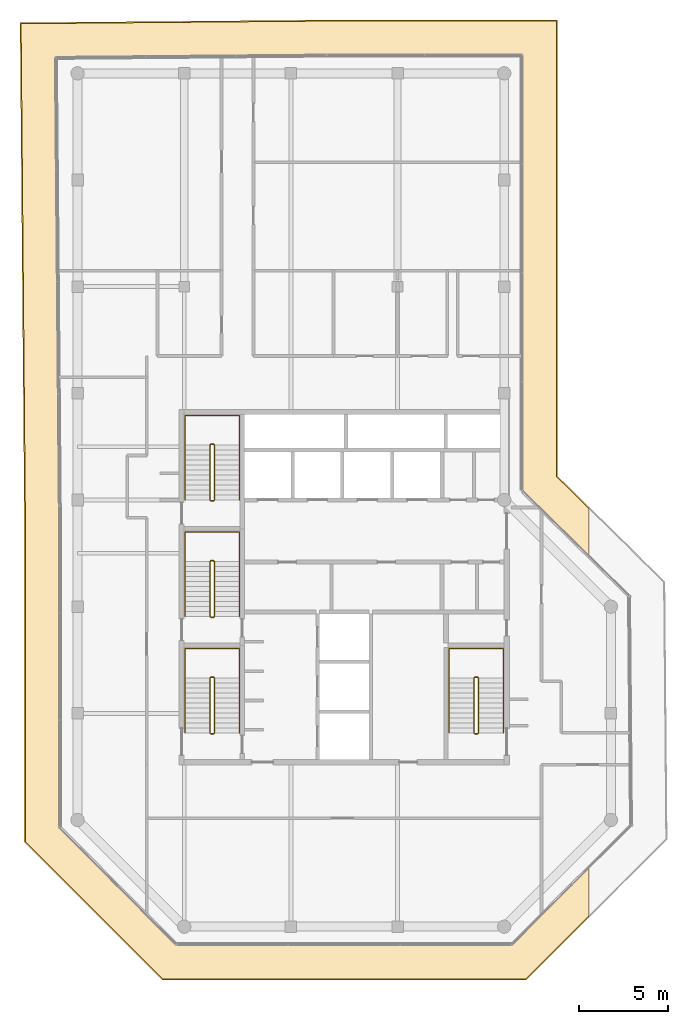
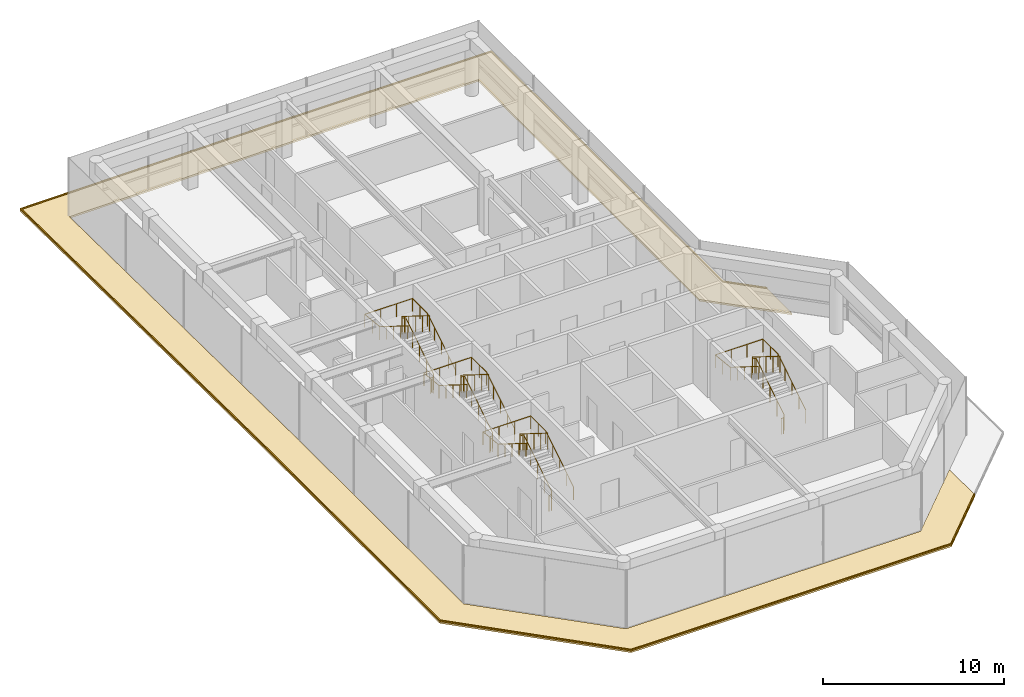
# One storey, part 20 of 21: 8 railings, 2 coverings.
"""IFC4 building model written with IfcOpenShell, lengths in metres."""

from ifc_helpers import new_model, si_unit, direction, frame, origin, origin_2d, place, context, subcontext, project, spatial, polyline, circle, outline, extrude, material, layer, layer_set, type_object, element, save


model = new_model("IFC4")

# Units and contexts
model_context = context("Model", 3, precision=1e-05, world=origin(), true_north=direction((0.0, 1.0)))
body_context = subcontext(model_context, "Body", "Model", "MODEL_VIEW")
ifc_project = project(units=[si_unit("LENGTHUNIT", "METRE"), si_unit("AREAUNIT", "SQUARE_METRE"), si_unit("VOLUMEUNIT", "CUBIC_METRE"), si_unit("PLANEANGLEUNIT", "RADIAN"), si_unit("MASSUNIT", "GRAM", prefix="KILO")], contexts=[model_context])

# Site, building, storey
site_placement = place(None, origin())
site = spatial("IfcSite", under=ifc_project, at=site_placement, CompositionType="ELEMENT")
building_placement = place(site_placement, origin())
building = spatial("IfcBuilding", under=site, at=building_placement, Name="Welwitschia Terrace Campus", CompositionType="ELEMENT")
storey_placement = place(building_placement, frame((0.0, 0.0, 331.39990234375)))
storey = spatial("IfcBuildingStorey", under=building, at=storey_placement, Name="L74", CompositionType="ELEMENT", Elevation=331.39990234375)

# Railings
ifc_material_1 = material(Name="Steel S355", Category="steel")
railing_type_1 = type_object("IfcRailingType", Name="Stair guard 1100", PredefinedType="GUARDRAIL", material=ifc_material_1)
railing_1_placement = place(storey_placement, frame((7.5, 6.85009765625, 0.0)))
element("IfcRailing", 1, at=railing_1_placement, inside=storey, type_object=railing_type_1, Name="L74 S1 stair guard", PredefinedType="GUARDRAIL", context=body_context, shape_type="SweptSolid", body=[
    extrude(circle(Radius=0.02392578125, at=origin_2d()), frame((0.0, 0.0, 1.076171875), z_axis=(1.0, 0.0, 0.0), x_axis=(0.0, 1.0, 0.0)), (0.0, 0.0, 1.0), 0.14990234375),
    extrude(circle(Radius=0.02392578125, at=origin_2d()), frame((0.14990234375, 0.0, 1.076171875), z_axis=(0.265155923931, 0.263862480399, 0.927399011991), x_axis=(-0.705375805398, 0.708833529934, 0.0)), (0.0, 0.0, 1.0), 0.188720703125),
    extrude(circle(Radius=0.02392578125, at=origin_2d()), frame((0.199951171875, 0.0498046875, 1.2509765625), z_axis=(0.0, 0.847998304005, 0.529998940003), x_axis=(-1.0, 0.0, 0.0)), (0.0, 0.0, 1.0), 3.632080078125),
    extrude(circle(Radius=0.02392578125, at=origin_2d()), frame((0.199951171875, 3.1298828125, 3.17626953125), z_axis=(-0.707106781187, 0.707106781187, 0.0), x_axis=(-0.707106781187, -0.707106781187, 0.0)), (0.0, 0.0, 1.0), 0.07080078125),
    extrude(circle(Radius=0.02392578125, at=origin_2d()), frame((0.14990234375, 3.179931640625, 3.17626953125), z_axis=(-1.0, 0.0, 0.0), x_axis=(0.0, -1.0, 0.0)), (0.0, 0.0, 1.0), 0.14990234375),
    extrude(circle(Radius=0.02392578125, at=origin_2d()), frame((0.0, 3.179931640625, 3.17626953125), z_axis=(-0.265065253269, -0.265065253269, 0.927081885822), x_axis=(0.707106781187, -0.707106781187, 0.0)), (0.0, 0.0, 1.0), 0.188720703125),
    extrude(circle(Radius=0.02392578125, at=origin_2d()), frame((-0.050048828125, 3.1298828125, 3.35107421875), z_axis=(0.0, -0.847998304005, 0.529998940003), x_axis=(1.0, 0.0, 0.0)), (0.0, 0.0, 1.0), 3.632080078125),
    extrude(circle(Radius=0.02099609375, at=origin_2d()), origin(), (0.0, 0.0, 1.0), 1.052001953125),
    extrude(circle(Radius=0.02099609375, at=origin_2d()), frame((0.14990234375, 0.0, 0.0)), (0.0, 0.0, 1.0), 1.052001953125),
    extrude(circle(Radius=0.02099609375, at=origin_2d()), frame((0.199951171875, 0.0498046875, 0.175048828125)), (0.0, 0.0, 1.0), 1.052001953125),
    extrude(circle(Radius=0.02099609375, at=origin_2d()), frame((0.199951171875, 0.81982421875, 0.65625)), (0.0, 0.0, 1.0), 1.052001953125),
    extrude(circle(Radius=0.02099609375, at=origin_2d()), frame((0.199951171875, 1.58984375, 1.1376953125)), (0.0, 0.0, 1.0), 1.052001953125),
    extrude(circle(Radius=0.02099609375, at=origin_2d()), frame((0.199951171875, 2.35986328125, 1.618896484375)), (0.0, 0.0, 1.0), 1.052001953125),
    extrude(circle(Radius=0.02099609375, at=origin_2d()), frame((0.199951171875, 3.1298828125, 2.10009765625)), (0.0, 0.0, 1.0), 1.052001953125),
    extrude(circle(Radius=0.02099609375, at=origin_2d()), frame((0.14990234375, 3.179931640625, 2.10009765625)), (0.0, 0.0, 1.0), 1.052001953125),
    extrude(circle(Radius=0.02099609375, at=origin_2d()), frame((0.0, 3.179931640625, 2.10009765625)), (0.0, 0.0, 1.0), 1.052001953125),
    extrude(circle(Radius=0.02099609375, at=origin_2d()), frame((-0.050048828125, 3.1298828125, 2.275146484375)), (0.0, 0.0, 1.0), 1.052001953125),
    extrude(circle(Radius=0.02099609375, at=origin_2d()), frame((-0.050048828125, 2.35986328125, 2.75634765625)), (0.0, 0.0, 1.0), 1.052001953125),
    extrude(circle(Radius=0.02099609375, at=origin_2d()), frame((-0.050048828125, 1.58984375, 3.23779296875)), (0.0, 0.0, 1.0), 1.052001953125),
    extrude(circle(Radius=0.02099609375, at=origin_2d()), frame((-0.050048828125, 0.81982421875, 3.718994140625)), (0.0, 0.0, 1.0), 1.052001953125),
    extrude(circle(Radius=0.02099609375, at=origin_2d()), frame((-0.050048828125, 0.0498046875, 4.2001953125)), (0.0, 0.0, 1.0), 1.052001953125),
])
railing_2_placement = place(storey_placement, frame((7.5, 13.39990234375, 0.0)))
element("IfcRailing", 2, at=railing_2_placement, inside=storey, type_object=railing_type_1, Name="L74 S3 stair guard", PredefinedType="GUARDRAIL", context=body_context, shape_type="SweptSolid", body=[
    extrude(circle(Radius=0.02392578125, at=origin_2d()), frame((0.0, 0.0, 1.076171875), z_axis=(1.0, 0.0, 0.0), x_axis=(0.0, 1.0, 0.0)), (0.0, 0.0, 1.0), 0.14990234375),
    extrude(circle(Radius=0.02392578125, at=origin_2d()), frame((0.14990234375, 0.0, 1.076171875), z_axis=(0.265065253269, 0.265065253269, 0.927081885822), x_axis=(-0.707106781187, 0.707106781187, 0.0)), (0.0, 0.0, 1.0), 0.188720703125),
    extrude(circle(Radius=0.02392578125, at=origin_2d()), frame((0.199951171875, 0.050048828125, 1.2509765625), z_axis=(0.0, 0.847998304005, 0.529998940003), x_axis=(-1.0, 0.0, 0.0)), (0.0, 0.0, 1.0), 3.632080078125),
    extrude(circle(Radius=0.02392578125, at=origin_2d()), frame((0.199951171875, 3.130126953125, 3.17626953125), z_axis=(-0.707106781187, 0.707106781187, 0.0), x_axis=(-0.707106781187, -0.707106781187, 0.0)), (0.0, 0.0, 1.0), 0.07080078125),
    extrude(circle(Radius=0.02392578125, at=origin_2d()), frame((0.14990234375, 3.18017578125, 3.17626953125), z_axis=(-1.0, 0.0, 0.0), x_axis=(0.0, -1.0, 0.0)), (0.0, 0.0, 1.0), 0.14990234375),
    extrude(circle(Radius=0.02392578125, at=origin_2d()), frame((0.0, 3.18017578125, 3.17626953125), z_axis=(-0.265065253269, -0.265065253269, 0.927081885822), x_axis=(0.707106781187, -0.707106781187, 0.0)), (0.0, 0.0, 1.0), 0.188720703125),
    extrude(circle(Radius=0.02392578125, at=origin_2d()), frame((-0.050048828125, 3.130126953125, 3.35107421875), z_axis=(0.0, -0.847998304005, 0.529998940003), x_axis=(1.0, 0.0, 0.0)), (0.0, 0.0, 1.0), 3.632080078125),
    extrude(circle(Radius=0.02099609375, at=origin_2d()), origin(), (0.0, 0.0, 1.0), 1.052001953125),
    extrude(circle(Radius=0.02099609375, at=origin_2d()), frame((0.14990234375, 0.0, 0.0)), (0.0, 0.0, 1.0), 1.052001953125),
    extrude(circle(Radius=0.02099609375, at=origin_2d()), frame((0.199951171875, 0.050048828125, 0.175048828125)), (0.0, 0.0, 1.0), 1.052001953125),
    extrude(circle(Radius=0.02099609375, at=origin_2d()), frame((0.199951171875, 0.820068359375, 0.65625)), (0.0, 0.0, 1.0), 1.052001953125),
    extrude(circle(Radius=0.02099609375, at=origin_2d()), frame((0.199951171875, 1.590087890625, 1.1376953125)), (0.0, 0.0, 1.0), 1.052001953125),
    extrude(circle(Radius=0.02099609375, at=origin_2d()), frame((0.199951171875, 2.360107421875, 1.618896484375)), (0.0, 0.0, 1.0), 1.052001953125),
    extrude(circle(Radius=0.02099609375, at=origin_2d()), frame((0.199951171875, 3.130126953125, 2.10009765625)), (0.0, 0.0, 1.0), 1.052001953125),
    extrude(circle(Radius=0.02099609375, at=origin_2d()), frame((0.14990234375, 3.18017578125, 2.10009765625)), (0.0, 0.0, 1.0), 1.052001953125),
    extrude(circle(Radius=0.02099609375, at=origin_2d()), frame((0.0, 3.18017578125, 2.10009765625)), (0.0, 0.0, 1.0), 1.052001953125),
    extrude(circle(Radius=0.02099609375, at=origin_2d()), frame((-0.050048828125, 3.130126953125, 2.275146484375)), (0.0, 0.0, 1.0), 1.052001953125),
    extrude(circle(Radius=0.02099609375, at=origin_2d()), frame((-0.050048828125, 2.360107421875, 2.75634765625)), (0.0, 0.0, 1.0), 1.052001953125),
    extrude(circle(Radius=0.02099609375, at=origin_2d()), frame((-0.050048828125, 1.590087890625, 3.23779296875)), (0.0, 0.0, 1.0), 1.052001953125),
    extrude(circle(Radius=0.02099609375, at=origin_2d()), frame((-0.050048828125, 0.820068359375, 3.718994140625)), (0.0, 0.0, 1.0), 1.052001953125),
    extrude(circle(Radius=0.02099609375, at=origin_2d()), frame((-0.050048828125, 0.050048828125, 4.2001953125)), (0.0, 0.0, 1.0), 1.052001953125),
])
railing_3_placement = place(storey_placement, frame((7.5, 19.949951171875, 0.0)))
element("IfcRailing", 3, at=railing_3_placement, inside=storey, type_object=railing_type_1, Name="L74 S4 stair guard", PredefinedType="GUARDRAIL", context=body_context, shape_type="SweptSolid", body=[
    extrude(circle(Radius=0.02392578125, at=origin_2d()), frame((0.0, 0.0, 1.076171875), z_axis=(1.0, 0.0, 0.0), x_axis=(0.0, 1.0, 0.0)), (0.0, 0.0, 1.0), 0.14990234375),
    extrude(circle(Radius=0.02392578125, at=origin_2d()), frame((0.14990234375, 0.0, 1.076171875), z_axis=(0.265065253269, 0.265065253269, 0.927081885822), x_axis=(-0.707106781187, 0.707106781187, 0.0)), (0.0, 0.0, 1.0), 0.188720703125),
    extrude(circle(Radius=0.02392578125, at=origin_2d()), frame((0.199951171875, 0.050048828125, 1.2509765625), z_axis=(0.0, 0.847998304005, 0.529998940003), x_axis=(-1.0, 0.0, 0.0)), (0.0, 0.0, 1.0), 3.632080078125),
    extrude(circle(Radius=0.02392578125, at=origin_2d()), frame((0.199951171875, 3.130126953125, 3.17626953125), z_axis=(-0.708833529934, 0.705375805398, 0.0), x_axis=(-0.705375805398, -0.708833529934, 0.0)), (0.0, 0.0, 1.0), 0.070556640625),
    extrude(circle(Radius=0.02392578125, at=origin_2d()), frame((0.14990234375, 3.179931640625, 3.17626953125), z_axis=(-1.0, 0.0, 0.0), x_axis=(0.0, -1.0, 0.0)), (0.0, 0.0, 1.0), 0.14990234375),
    extrude(circle(Radius=0.02392578125, at=origin_2d()), frame((0.0, 3.179931640625, 3.17626953125), z_axis=(-0.265155923931, -0.263862480399, 0.927399011991), x_axis=(0.705375805398, -0.708833529934, 0.0)), (0.0, 0.0, 1.0), 0.188720703125),
    extrude(circle(Radius=0.02392578125, at=origin_2d()), frame((-0.050048828125, 3.130126953125, 3.35107421875), z_axis=(0.0, -0.847998304005, 0.529998940003), x_axis=(1.0, 0.0, 0.0)), (0.0, 0.0, 1.0), 3.632080078125),
    extrude(circle(Radius=0.02099609375, at=origin_2d()), origin(), (0.0, 0.0, 1.0), 1.052001953125),
    extrude(circle(Radius=0.02099609375, at=origin_2d()), frame((0.14990234375, 0.0, 0.0)), (0.0, 0.0, 1.0), 1.052001953125),
    extrude(circle(Radius=0.02099609375, at=origin_2d()), frame((0.199951171875, 0.050048828125, 0.175048828125)), (0.0, 0.0, 1.0), 1.052001953125),
    extrude(circle(Radius=0.02099609375, at=origin_2d()), frame((0.199951171875, 0.820068359375, 0.65625)), (0.0, 0.0, 1.0), 1.052001953125),
    extrude(circle(Radius=0.02099609375, at=origin_2d()), frame((0.199951171875, 1.590087890625, 1.1376953125)), (0.0, 0.0, 1.0), 1.052001953125),
    extrude(circle(Radius=0.02099609375, at=origin_2d()), frame((0.199951171875, 2.360107421875, 1.618896484375)), (0.0, 0.0, 1.0), 1.052001953125),
    extrude(circle(Radius=0.02099609375, at=origin_2d()), frame((0.199951171875, 3.130126953125, 2.10009765625)), (0.0, 0.0, 1.0), 1.052001953125),
    extrude(circle(Radius=0.02099609375, at=origin_2d()), frame((0.14990234375, 3.179931640625, 2.10009765625)), (0.0, 0.0, 1.0), 1.052001953125),
    extrude(circle(Radius=0.02099609375, at=origin_2d()), frame((0.0, 3.179931640625, 2.10009765625)), (0.0, 0.0, 1.0), 1.052001953125),
    extrude(circle(Radius=0.02099609375, at=origin_2d()), frame((-0.050048828125, 3.130126953125, 2.275146484375)), (0.0, 0.0, 1.0), 1.052001953125),
    extrude(circle(Radius=0.02099609375, at=origin_2d()), frame((-0.050048828125, 2.360107421875, 2.75634765625)), (0.0, 0.0, 1.0), 1.052001953125),
    extrude(circle(Radius=0.02099609375, at=origin_2d()), frame((-0.050048828125, 1.590087890625, 3.23779296875)), (0.0, 0.0, 1.0), 1.052001953125),
    extrude(circle(Radius=0.02099609375, at=origin_2d()), frame((-0.050048828125, 0.820068359375, 3.718994140625)), (0.0, 0.0, 1.0), 1.052001953125),
    extrude(circle(Radius=0.02099609375, at=origin_2d()), frame((-0.050048828125, 0.050048828125, 4.2001953125)), (0.0, 0.0, 1.0), 1.052001953125),
])
railing_4_placement = place(storey_placement, frame((22.35009765625, 6.85009765625, 0.0)))
element("IfcRailing", 4, at=railing_4_placement, inside=storey, type_object=railing_type_1, Name="L74 S2 stair guard", PredefinedType="GUARDRAIL", context=body_context, shape_type="SweptSolid", body=[
    extrude(circle(Radius=0.02392578125, at=origin_2d()), frame((0.0, 0.0, 1.076171875), z_axis=(1.0, 0.0, 0.0), x_axis=(0.0, 1.0, 0.0)), (0.0, 0.0, 1.0), 0.14990234375),
    extrude(circle(Radius=0.02392578125, at=origin_2d()), frame((0.14990234375, 0.0, 1.076171875), z_axis=(0.265155923931, 0.263862480399, 0.927399011991), x_axis=(-0.705375805398, 0.708833529934, 0.0)), (0.0, 0.0, 1.0), 0.188720703125),
    extrude(circle(Radius=0.02392578125, at=origin_2d()), frame((0.199951171875, 0.0498046875, 1.2509765625), z_axis=(0.0, 0.847998304005, 0.529998940003), x_axis=(-1.0, 0.0, 0.0)), (0.0, 0.0, 1.0), 3.632080078125),
    extrude(circle(Radius=0.02392578125, at=origin_2d()), frame((0.199951171875, 3.1298828125, 3.17626953125), z_axis=(-0.707106781187, 0.707106781187, 0.0), x_axis=(-0.707106781187, -0.707106781187, 0.0)), (0.0, 0.0, 1.0), 0.07080078125),
    extrude(circle(Radius=0.02392578125, at=origin_2d()), frame((0.14990234375, 3.179931640625, 3.17626953125), z_axis=(-1.0, 0.0, 0.0), x_axis=(0.0, -1.0, 0.0)), (0.0, 0.0, 1.0), 0.14990234375),
    extrude(circle(Radius=0.02392578125, at=origin_2d()), frame((0.0, 3.179931640625, 3.17626953125), z_axis=(-0.265065253269, -0.265065253269, 0.927081885822), x_axis=(0.707106781187, -0.707106781187, 0.0)), (0.0, 0.0, 1.0), 0.188720703125),
    extrude(circle(Radius=0.02392578125, at=origin_2d()), frame((-0.050048828125, 3.1298828125, 3.35107421875), z_axis=(0.0, -0.847998304005, 0.529998940003), x_axis=(1.0, 0.0, 0.0)), (0.0, 0.0, 1.0), 3.632080078125),
    extrude(circle(Radius=0.02099609375, at=origin_2d()), origin(), (0.0, 0.0, 1.0), 1.052001953125),
    extrude(circle(Radius=0.02099609375, at=origin_2d()), frame((0.14990234375, 0.0, 0.0)), (0.0, 0.0, 1.0), 1.052001953125),
    extrude(circle(Radius=0.02099609375, at=origin_2d()), frame((0.199951171875, 0.0498046875, 0.175048828125)), (0.0, 0.0, 1.0), 1.052001953125),
    extrude(circle(Radius=0.02099609375, at=origin_2d()), frame((0.199951171875, 0.81982421875, 0.65625)), (0.0, 0.0, 1.0), 1.052001953125),
    extrude(circle(Radius=0.02099609375, at=origin_2d()), frame((0.199951171875, 1.58984375, 1.1376953125)), (0.0, 0.0, 1.0), 1.052001953125),
    extrude(circle(Radius=0.02099609375, at=origin_2d()), frame((0.199951171875, 2.35986328125, 1.618896484375)), (0.0, 0.0, 1.0), 1.052001953125),
    extrude(circle(Radius=0.02099609375, at=origin_2d()), frame((0.199951171875, 3.1298828125, 2.10009765625)), (0.0, 0.0, 1.0), 1.052001953125),
    extrude(circle(Radius=0.02099609375, at=origin_2d()), frame((0.14990234375, 3.179931640625, 2.10009765625)), (0.0, 0.0, 1.0), 1.052001953125),
    extrude(circle(Radius=0.02099609375, at=origin_2d()), frame((0.0, 3.179931640625, 2.10009765625)), (0.0, 0.0, 1.0), 1.052001953125),
    extrude(circle(Radius=0.02099609375, at=origin_2d()), frame((-0.050048828125, 3.1298828125, 2.275146484375)), (0.0, 0.0, 1.0), 1.052001953125),
    extrude(circle(Radius=0.02099609375, at=origin_2d()), frame((-0.050048828125, 2.35986328125, 2.75634765625)), (0.0, 0.0, 1.0), 1.052001953125),
    extrude(circle(Radius=0.02099609375, at=origin_2d()), frame((-0.050048828125, 1.58984375, 3.23779296875)), (0.0, 0.0, 1.0), 1.052001953125),
    extrude(circle(Radius=0.02099609375, at=origin_2d()), frame((-0.050048828125, 0.81982421875, 3.718994140625)), (0.0, 0.0, 1.0), 1.052001953125),
    extrude(circle(Radius=0.02099609375, at=origin_2d()), frame((-0.050048828125, 0.0498046875, 4.2001953125)), (0.0, 0.0, 1.0), 1.052001953125),
])
ifc_material_2 = material(Name="Steel S355", Category="steel")
railing_type_2 = type_object("IfcRailingType", Name="Stair handrail 900", PredefinedType="HANDRAIL", material=ifc_material_2)
railing_5_placement = place(storey_placement, frame((9.10009765625, 6.89990234375, 0.175048828125)))
element("IfcRailing", 5, at=railing_5_placement, inside=storey, type_object=railing_type_2, Name="L74 S1 stair handrail", PredefinedType="HANDRAIL", context=body_context, shape_type="SweptSolid", body=[
    extrude(circle(Radius=0.02392578125, at=origin_2d()), frame((0.0, 0.0, 0.8759765625), z_axis=(0.0, 0.847998304005, 0.529998940003), x_axis=(-1.0, 0.0, 0.0)), (0.0, 0.0, 1.0), 3.632080078125),
    extrude(circle(Radius=0.02392578125, at=origin_2d()), frame((0.0, 3.080078125, 2.80078125), z_axis=(0.0, 1.0, 0.0), x_axis=(-1.0, 0.0, 0.0)), (0.0, 0.0, 1.0), 1.669921875),
    extrude(circle(Radius=0.02392578125, at=origin_2d()), frame((0.0, 4.75, 2.80078125), z_axis=(-1.0, 0.0, 0.0), x_axis=(0.0, -1.0, 0.0)), (0.0, 0.0, 1.0), 3.050048828125),
    extrude(circle(Radius=0.02392578125, at=origin_2d()), frame((-3.050048828125, 4.75, 2.80078125), z_axis=(0.0, -0.99455077262, 0.104253348533), x_axis=(1.0, 0.0, 0.0)), (0.0, 0.0, 1.0), 1.678955078125),
    extrude(circle(Radius=0.02392578125, at=origin_2d()), frame((-3.050048828125, 3.080078125, 2.97607421875), z_axis=(0.0, -0.847998304005, 0.529998940003), x_axis=(1.0, 0.0, 0.0)), (0.0, 0.0, 1.0), 3.632080078125),
    extrude(circle(Radius=0.02099609375, at=origin_2d()), origin(), (0.0, 0.0, 1.0), 0.851806640625),
    extrude(circle(Radius=0.02099609375, at=origin_2d()), frame((0.0, 0.77001953125, 0.481201171875)), (0.0, 0.0, 1.0), 0.851806640625),
    extrude(circle(Radius=0.02099609375, at=origin_2d()), frame((0.0, 1.5400390625, 0.96240234375)), (0.0, 0.0, 1.0), 0.851806640625),
    extrude(circle(Radius=0.02099609375, at=origin_2d()), frame((0.0, 2.31005859375, 1.44384765625)), (0.0, 0.0, 1.0), 0.851806640625),
    extrude(circle(Radius=0.02099609375, at=origin_2d()), frame((0.0, 3.080078125, 1.925048828125)), (0.0, 0.0, 1.0), 0.851806640625),
    extrude(circle(Radius=0.02099609375, at=origin_2d()), frame((0.0, 3.9150390625, 1.925048828125)), (0.0, 0.0, 1.0), 0.851806640625),
    extrude(circle(Radius=0.02099609375, at=origin_2d()), frame((0.0, 4.75, 1.925048828125)), (0.0, 0.0, 1.0), 0.851806640625),
    extrude(circle(Radius=0.02099609375, at=origin_2d()), frame((-1.0166015625, 4.75, 1.925048828125)), (0.0, 0.0, 1.0), 0.851806640625),
    extrude(circle(Radius=0.02099609375, at=origin_2d()), frame((-2.033447265625, 4.75, 1.925048828125)), (0.0, 0.0, 1.0), 0.851806640625),
    extrude(circle(Radius=0.02099609375, at=origin_2d()), frame((-3.050048828125, 4.75, 1.925048828125)), (0.0, 0.0, 1.0), 0.851806640625),
    extrude(circle(Radius=0.02099609375, at=origin_2d()), frame((-3.050048828125, 3.9150390625, 2.0126953125)), (0.0, 0.0, 1.0), 0.851806640625),
    extrude(circle(Radius=0.02099609375, at=origin_2d()), frame((-3.050048828125, 3.080078125, 2.10009765625)), (0.0, 0.0, 1.0), 0.851806640625),
    extrude(circle(Radius=0.02099609375, at=origin_2d()), frame((-3.050048828125, 2.31005859375, 2.581298828125)), (0.0, 0.0, 1.0), 0.851806640625),
    extrude(circle(Radius=0.02099609375, at=origin_2d()), frame((-3.050048828125, 1.5400390625, 3.0625)), (0.0, 0.0, 1.0), 0.851806640625),
    extrude(circle(Radius=0.02099609375, at=origin_2d()), frame((-3.050048828125, 0.77001953125, 3.5439453125)), (0.0, 0.0, 1.0), 0.851806640625),
    extrude(circle(Radius=0.02099609375, at=origin_2d()), frame((-3.050048828125, 0.0, 4.025146484375)), (0.0, 0.0, 1.0), 0.851806640625),
])
railing_6_placement = place(storey_placement, frame((9.10009765625, 13.449951171875, 0.175048828125)))
element("IfcRailing", 6, at=railing_6_placement, inside=storey, type_object=railing_type_2, Name="L74 S3 stair handrail", PredefinedType="HANDRAIL", context=body_context, shape_type="SweptSolid", body=[
    extrude(circle(Radius=0.02392578125, at=origin_2d()), frame((0.0, 0.0, 0.8759765625), z_axis=(0.0, 0.847998304005, 0.529998940003), x_axis=(-1.0, 0.0, 0.0)), (0.0, 0.0, 1.0), 3.632080078125),
    extrude(circle(Radius=0.02392578125, at=origin_2d()), frame((0.0, 3.080078125, 2.80078125), z_axis=(0.0, 1.0, 0.0), x_axis=(-1.0, 0.0, 0.0)), (0.0, 0.0, 1.0), 1.669921875),
    extrude(circle(Radius=0.02392578125, at=origin_2d()), frame((0.0, 4.75, 2.80078125), z_axis=(-1.0, 0.0, 0.0), x_axis=(0.0, -1.0, 0.0)), (0.0, 0.0, 1.0), 3.050048828125),
    extrude(circle(Radius=0.02392578125, at=origin_2d()), frame((-3.050048828125, 4.75, 2.80078125), z_axis=(0.0, -0.99455077262, 0.104253348533), x_axis=(1.0, 0.0, 0.0)), (0.0, 0.0, 1.0), 1.678955078125),
    extrude(circle(Radius=0.02392578125, at=origin_2d()), frame((-3.050048828125, 3.080078125, 2.97607421875), z_axis=(0.0, -0.847998304005, 0.529998940003), x_axis=(1.0, 0.0, 0.0)), (0.0, 0.0, 1.0), 3.632080078125),
    extrude(circle(Radius=0.02099609375, at=origin_2d()), origin(), (0.0, 0.0, 1.0), 0.851806640625),
    extrude(circle(Radius=0.02099609375, at=origin_2d()), frame((0.0, 0.77001953125, 0.481201171875)), (0.0, 0.0, 1.0), 0.851806640625),
    extrude(circle(Radius=0.02099609375, at=origin_2d()), frame((0.0, 1.5400390625, 0.96240234375)), (0.0, 0.0, 1.0), 0.851806640625),
    extrude(circle(Radius=0.02099609375, at=origin_2d()), frame((0.0, 2.31005859375, 1.44384765625)), (0.0, 0.0, 1.0), 0.851806640625),
    extrude(circle(Radius=0.02099609375, at=origin_2d()), frame((0.0, 3.080078125, 1.925048828125)), (0.0, 0.0, 1.0), 0.851806640625),
    extrude(circle(Radius=0.02099609375, at=origin_2d()), frame((0.0, 3.9150390625, 1.925048828125)), (0.0, 0.0, 1.0), 0.851806640625),
    extrude(circle(Radius=0.02099609375, at=origin_2d()), frame((0.0, 4.75, 1.925048828125)), (0.0, 0.0, 1.0), 0.851806640625),
    extrude(circle(Radius=0.02099609375, at=origin_2d()), frame((-1.0166015625, 4.75, 1.925048828125)), (0.0, 0.0, 1.0), 0.851806640625),
    extrude(circle(Radius=0.02099609375, at=origin_2d()), frame((-2.033447265625, 4.75, 1.925048828125)), (0.0, 0.0, 1.0), 0.851806640625),
    extrude(circle(Radius=0.02099609375, at=origin_2d()), frame((-3.050048828125, 4.75, 1.925048828125)), (0.0, 0.0, 1.0), 0.851806640625),
    extrude(circle(Radius=0.02099609375, at=origin_2d()), frame((-3.050048828125, 3.9150390625, 2.0126953125)), (0.0, 0.0, 1.0), 0.851806640625),
    extrude(circle(Radius=0.02099609375, at=origin_2d()), frame((-3.050048828125, 3.080078125, 2.10009765625)), (0.0, 0.0, 1.0), 0.851806640625),
    extrude(circle(Radius=0.02099609375, at=origin_2d()), frame((-3.050048828125, 2.31005859375, 2.581298828125)), (0.0, 0.0, 1.0), 0.851806640625),
    extrude(circle(Radius=0.02099609375, at=origin_2d()), frame((-3.050048828125, 1.5400390625, 3.0625)), (0.0, 0.0, 1.0), 0.851806640625),
    extrude(circle(Radius=0.02099609375, at=origin_2d()), frame((-3.050048828125, 0.77001953125, 3.5439453125)), (0.0, 0.0, 1.0), 0.851806640625),
    extrude(circle(Radius=0.02099609375, at=origin_2d()), frame((-3.050048828125, 0.0, 4.025146484375)), (0.0, 0.0, 1.0), 0.851806640625),
])
railing_7_placement = place(storey_placement, frame((9.10009765625, 20.0, 0.175048828125)))
element("IfcRailing", 7, at=railing_7_placement, inside=storey, type_object=railing_type_2, Name="L74 S4 stair handrail", PredefinedType="HANDRAIL", context=body_context, shape_type="SweptSolid", body=[
    extrude(circle(Radius=0.02392578125, at=origin_2d()), frame((0.0, 0.0, 0.8759765625), z_axis=(0.0, 0.847998304005, 0.529998940003), x_axis=(-1.0, 0.0, 0.0)), (0.0, 0.0, 1.0), 3.632080078125),
    extrude(circle(Radius=0.02392578125, at=origin_2d()), frame((0.0, 3.080078125, 2.80078125), z_axis=(0.0, 1.0, 0.0), x_axis=(-1.0, 0.0, 0.0)), (0.0, 0.0, 1.0), 1.669921875),
    extrude(circle(Radius=0.02392578125, at=origin_2d()), frame((0.0, 4.75, 2.80078125), z_axis=(-1.0, 0.0, 0.0), x_axis=(0.0, -1.0, 0.0)), (0.0, 0.0, 1.0), 3.050048828125),
    extrude(circle(Radius=0.02392578125, at=origin_2d()), frame((-3.050048828125, 4.75, 2.80078125), z_axis=(0.0, -0.99455077262, 0.104253348533), x_axis=(1.0, 0.0, 0.0)), (0.0, 0.0, 1.0), 1.678955078125),
    extrude(circle(Radius=0.02392578125, at=origin_2d()), frame((-3.050048828125, 3.080078125, 2.97607421875), z_axis=(0.0, -0.847998304005, 0.529998940003), x_axis=(1.0, 0.0, 0.0)), (0.0, 0.0, 1.0), 3.632080078125),
    extrude(circle(Radius=0.02099609375, at=origin_2d()), origin(), (0.0, 0.0, 1.0), 0.851806640625),
    extrude(circle(Radius=0.02099609375, at=origin_2d()), frame((0.0, 0.77001953125, 0.481201171875)), (0.0, 0.0, 1.0), 0.851806640625),
    extrude(circle(Radius=0.02099609375, at=origin_2d()), frame((0.0, 1.5400390625, 0.96240234375)), (0.0, 0.0, 1.0), 0.851806640625),
    extrude(circle(Radius=0.02099609375, at=origin_2d()), frame((0.0, 2.31005859375, 1.44384765625)), (0.0, 0.0, 1.0), 0.851806640625),
    extrude(circle(Radius=0.02099609375, at=origin_2d()), frame((0.0, 3.080078125, 1.925048828125)), (0.0, 0.0, 1.0), 0.851806640625),
    extrude(circle(Radius=0.02099609375, at=origin_2d()), frame((0.0, 3.9150390625, 1.925048828125)), (0.0, 0.0, 1.0), 0.851806640625),
    extrude(circle(Radius=0.02099609375, at=origin_2d()), frame((0.0, 4.75, 1.925048828125)), (0.0, 0.0, 1.0), 0.851806640625),
    extrude(circle(Radius=0.02099609375, at=origin_2d()), frame((-1.0166015625, 4.75, 1.925048828125)), (0.0, 0.0, 1.0), 0.851806640625),
    extrude(circle(Radius=0.02099609375, at=origin_2d()), frame((-2.033447265625, 4.75, 1.925048828125)), (0.0, 0.0, 1.0), 0.851806640625),
    extrude(circle(Radius=0.02099609375, at=origin_2d()), frame((-3.050048828125, 4.75, 1.925048828125)), (0.0, 0.0, 1.0), 0.851806640625),
    extrude(circle(Radius=0.02099609375, at=origin_2d()), frame((-3.050048828125, 3.9150390625, 2.0126953125)), (0.0, 0.0, 1.0), 0.851806640625),
    extrude(circle(Radius=0.02099609375, at=origin_2d()), frame((-3.050048828125, 3.080078125, 2.10009765625)), (0.0, 0.0, 1.0), 0.851806640625),
    extrude(circle(Radius=0.02099609375, at=origin_2d()), frame((-3.050048828125, 2.31005859375, 2.581298828125)), (0.0, 0.0, 1.0), 0.851806640625),
    extrude(circle(Radius=0.02099609375, at=origin_2d()), frame((-3.050048828125, 1.5400390625, 3.0625)), (0.0, 0.0, 1.0), 0.851806640625),
    extrude(circle(Radius=0.02099609375, at=origin_2d()), frame((-3.050048828125, 0.77001953125, 3.5439453125)), (0.0, 0.0, 1.0), 0.851806640625),
    extrude(circle(Radius=0.02099609375, at=origin_2d()), frame((-3.050048828125, 0.0, 4.025146484375)), (0.0, 0.0, 1.0), 0.851806640625),
])
railing_8_placement = place(storey_placement, frame((23.949951171875, 6.89990234375, 0.175048828125)))
element("IfcRailing", 8, at=railing_8_placement, inside=storey, type_object=railing_type_2, Name="L74 S2 stair handrail", PredefinedType="HANDRAIL", context=body_context, shape_type="SweptSolid", body=[
    extrude(circle(Radius=0.02392578125, at=origin_2d()), frame((0.0, 0.0, 0.8759765625), z_axis=(0.0, 0.847998304005, 0.529998940003), x_axis=(-1.0, 0.0, 0.0)), (0.0, 0.0, 1.0), 3.632080078125),
    extrude(circle(Radius=0.02392578125, at=origin_2d()), frame((0.0, 3.080078125, 2.80078125), z_axis=(0.0, 1.0, 0.0), x_axis=(-1.0, 0.0, 0.0)), (0.0, 0.0, 1.0), 1.669921875),
    extrude(circle(Radius=0.02392578125, at=origin_2d()), frame((0.0, 4.75, 2.80078125), z_axis=(-1.0, 0.0, 0.0), x_axis=(0.0, -1.0, 0.0)), (0.0, 0.0, 1.0), 3.050048828125),
    extrude(circle(Radius=0.02392578125, at=origin_2d()), frame((-3.050048828125, 4.75, 2.80078125), z_axis=(0.0, -0.99455077262, 0.104253348533), x_axis=(1.0, 0.0, 0.0)), (0.0, 0.0, 1.0), 1.678955078125),
    extrude(circle(Radius=0.02392578125, at=origin_2d()), frame((-3.050048828125, 3.080078125, 2.97607421875), z_axis=(0.0, -0.847998304005, 0.529998940003), x_axis=(1.0, 0.0, 0.0)), (0.0, 0.0, 1.0), 3.632080078125),
    extrude(circle(Radius=0.02099609375, at=origin_2d()), origin(), (0.0, 0.0, 1.0), 0.851806640625),
    extrude(circle(Radius=0.02099609375, at=origin_2d()), frame((0.0, 0.77001953125, 0.481201171875)), (0.0, 0.0, 1.0), 0.851806640625),
    extrude(circle(Radius=0.02099609375, at=origin_2d()), frame((0.0, 1.5400390625, 0.96240234375)), (0.0, 0.0, 1.0), 0.851806640625),
    extrude(circle(Radius=0.02099609375, at=origin_2d()), frame((0.0, 2.31005859375, 1.44384765625)), (0.0, 0.0, 1.0), 0.851806640625),
    extrude(circle(Radius=0.02099609375, at=origin_2d()), frame((0.0, 3.080078125, 1.925048828125)), (0.0, 0.0, 1.0), 0.851806640625),
    extrude(circle(Radius=0.02099609375, at=origin_2d()), frame((0.0, 3.9150390625, 1.925048828125)), (0.0, 0.0, 1.0), 0.851806640625),
    extrude(circle(Radius=0.02099609375, at=origin_2d()), frame((0.0, 4.75, 1.925048828125)), (0.0, 0.0, 1.0), 0.851806640625),
    extrude(circle(Radius=0.02099609375, at=origin_2d()), frame((-1.0166015625, 4.75, 1.925048828125)), (0.0, 0.0, 1.0), 0.851806640625),
    extrude(circle(Radius=0.02099609375, at=origin_2d()), frame((-2.033447265625, 4.75, 1.925048828125)), (0.0, 0.0, 1.0), 0.851806640625),
    extrude(circle(Radius=0.02099609375, at=origin_2d()), frame((-3.050048828125, 4.75, 1.925048828125)), (0.0, 0.0, 1.0), 0.851806640625),
    extrude(circle(Radius=0.02099609375, at=origin_2d()), frame((-3.050048828125, 3.9150390625, 2.0126953125)), (0.0, 0.0, 1.0), 0.851806640625),
    extrude(circle(Radius=0.02099609375, at=origin_2d()), frame((-3.050048828125, 3.080078125, 2.10009765625)), (0.0, 0.0, 1.0), 0.851806640625),
    extrude(circle(Radius=0.02099609375, at=origin_2d()), frame((-3.050048828125, 2.31005859375, 2.581298828125)), (0.0, 0.0, 1.0), 0.851806640625),
    extrude(circle(Radius=0.02099609375, at=origin_2d()), frame((-3.050048828125, 1.5400390625, 3.0625)), (0.0, 0.0, 1.0), 0.851806640625),
    extrude(circle(Radius=0.02099609375, at=origin_2d()), frame((-3.050048828125, 0.77001953125, 3.5439453125)), (0.0, 0.0, 1.0), 0.851806640625),
    extrude(circle(Radius=0.02099609375, at=origin_2d()), frame((-3.050048828125, 0.0, 4.025146484375)), (0.0, 0.0, 1.0), 0.851806640625),
])

# Coverings
ifc_material_3 = material(Name="Bronze anodised aluminium", Category="aluminium")
ifc_layer_1 = layer(ifc_material_3, 0.1201171875)
ifc_layer_set_1 = layer_set([ifc_layer_1], Name="Bronze anodised aluminium")
covering_type_1 = type_object("IfcCoveringType", Name="Sunshade band 2000", PredefinedType="USERDEFINED", material=ifc_layer_set_1)
covering_1_placement = place(storey_placement, frame((0.0, 0.0, -0.199951171875)))
element("IfcCovering", 9, at=covering_1_placement, inside=storey, type_object=covering_type_1, Name="SUNSHADE L74.SW0", ObjectType="SUNSHADE", PredefinedType="USERDEFINED", context=body_context, shape_type="SweptSolid", body=[
    extrude(outline(polyline([(27.0, 47.0), (27.0, 21.341796875), (28.7802734375, 19.59228515625), (28.7802734375, 16.7880859375), (25.0, 20.5029296875), (25.0, 45.0), (14.012939453125, 45.0), (-1.2197265625, 44.8671875), (-1.0, 19.681884765625), (-1.0, 1.585693359375), (5.585693359375, -5.0), (24.414306640625, -5.0), (28.7802734375, -0.640380859375), (28.7802734375, -3.466796875), (25.24169921875, -7.0), (4.75732421875, -7.0), (-3.0, 0.75732421875), (-3.0, 19.673095703125), (-3.2373046875, 46.849609375), (14.004150390625, 47.0), (27.0, 47.0)])), origin(), (0.0, 0.0, 1.0), 0.1201171875),
])
ifc_material_4 = material(Name="Bronze anodised aluminium", Category="aluminium")
ifc_layer_2 = layer(ifc_material_4, 0.06005859375)
ifc_layer_set_2 = layer_set([ifc_layer_2], Name="Bronze anodised aluminium")
covering_type_2 = type_object("IfcCoveringType", Name="Sunshade lip 60", PredefinedType="USERDEFINED", material=ifc_layer_set_2)
covering_2_placement = place(storey_placement, frame((0.0, 0.0, -0.079833984375)))
element("IfcCovering", 10, at=covering_2_placement, inside=storey, type_object=covering_type_2, Name="SUNSHADE LIP L74.SW0.0", ObjectType="SUNSHADE", PredefinedType="USERDEFINED", context=body_context, shape_type="SweptSolid", body=[
    extrude(outline(polyline([(27.0, 21.341796875), (28.7802734375, 19.59228515625), (28.7802734375, 19.508056640625), (26.93994140625, 21.31640625), (26.93994140625, 46.93994140625), (14.00439453125, 46.93994140625), (-3.176513671875, 46.7900390625), (-2.93994140625, 19.67333984375), (-2.93994140625, 0.7822265625), (4.7822265625, -6.93994140625), (25.217041015625, -6.93994140625), (28.7802734375, -3.382080078125), (28.7802734375, -3.466796875), (25.24169921875, -7.0), (4.75732421875, -7.0), (-3.0, 0.75732421875), (-3.0, 19.673095703125), (-3.2373046875, 46.849609375), (14.004150390625, 47.0), (27.0, 47.0), (27.0, 21.341796875)])), origin(), (0.0, 0.0, 1.0), 0.079833984375),
])

save(model, "model.ifc")
